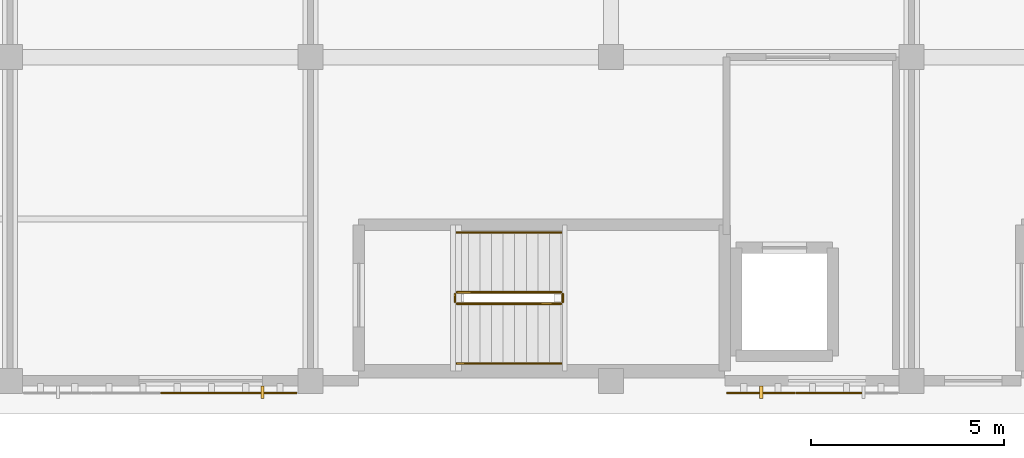
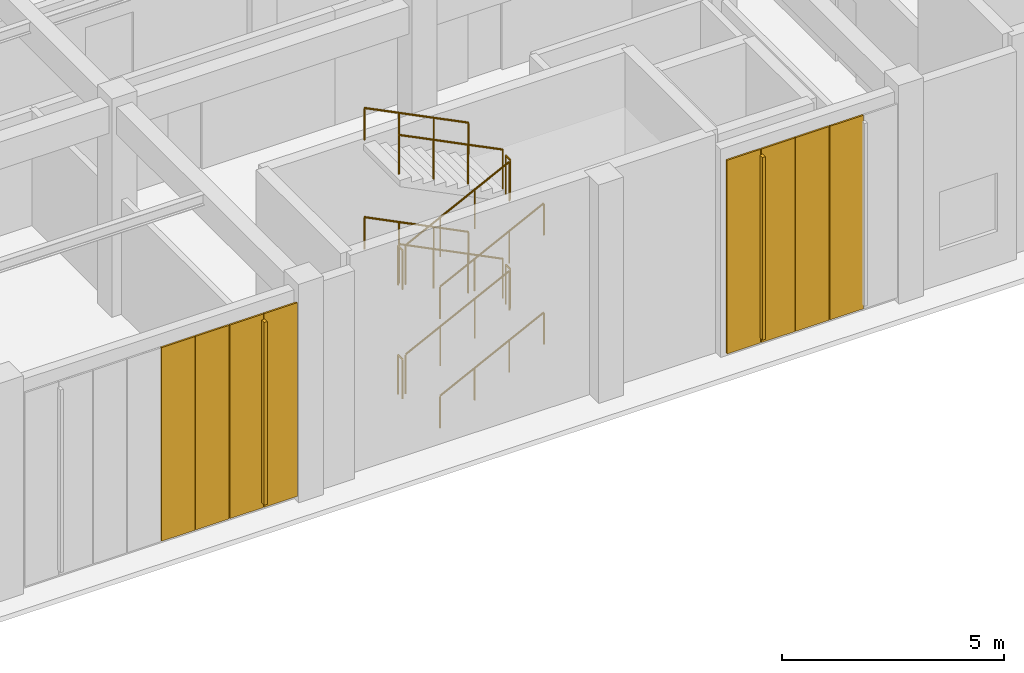
# One storey, part 89 of 105: 12 railings, 8 coverings, 2 shading devices.
"""IFC4 building model written with IfcOpenShell, lengths in metres."""

from ifc_helpers import new_model, si_unit, direction, frame, origin, origin_2d, place, context, subcontext, project, spatial, rectangle, circle, extrude, material, layer, layer_set, type_object, element, save


model = new_model("IFC4")

# Units and contexts
model_context = context("Model", 3, precision=1e-05, world=origin(), true_north=direction((0.0, 1.0)))
body_context = subcontext(model_context, "Body", "Model", "MODEL_VIEW")
ifc_project = project(units=[si_unit("LENGTHUNIT", "METRE"), si_unit("AREAUNIT", "SQUARE_METRE"), si_unit("VOLUMEUNIT", "CUBIC_METRE"), si_unit("PLANEANGLEUNIT", "RADIAN"), si_unit("MASSUNIT", "GRAM", prefix="KILO")], contexts=[model_context])

# Site, building, storey
site_placement = place(None, origin())
site = spatial("IfcSite", under=ifc_project, at=site_placement, CompositionType="ELEMENT")
building_placement = place(site_placement, origin())
building = spatial("IfcBuilding", under=site, at=building_placement, Name="Tizgana Railside Sports Hall", CompositionType="ELEMENT")
storey_placement = place(building_placement, frame((0.0, 0.0, 6.0)))
storey = spatial("IfcBuildingStorey", under=building, at=storey_placement, Name="L01", CompositionType="ELEMENT", Elevation=6.0)

# Shading devices
ifc_material_1 = material(Name="Glulam GL28h", Category="wood")
shading_device_type = type_object("IfcShadingDeviceType", Name="Glulam Vertical Brise-Soleil Fin 320", PredefinedType="JALOUSIE", material=ifc_material_1)
for number, where, z_axis, x_axis, name in (
    (1, (37.75, -0.2939453125, 0.35009765625), (0.0, 0.0, 1.0), (-1.0, 0.0, 0.0), "L01 Glulam Fin FIN-0029"),
    (2, (50.699951171875, -0.2939453125, 0.35009765625), (0.0, 0.0, 1.0), (-1.0, 0.0, 0.0), "L01 Glulam Fin FIN-0032"),
):
    element("IfcShadingDevice", number, at=place(storey_placement, frame(where, z_axis=z_axis, x_axis=x_axis)), inside=storey, type_object=shading_device_type, Name=name, PredefinedType="JALOUSIE", context=body_context, shape_type="SweptSolid", body=[
        extrude(rectangle(XDim=0.080078125, YDim=0.320068359375, at=origin_2d()), origin(), (0.0, 0.0, 1.0), 5.02001953125),
    ])

# Coverings
ifc_material_2 = material(Name="Anodised perforated aluminium screen", Category="aluminium")
ifc_layer = layer(ifc_material_2, 0.044921875, Name="Anodised perforated aluminium screen")
ifc_layer_set = layer_set([ifc_layer], Name="Anodised perforated aluminium screen")
covering_type = type_object("IfcCoveringType", Name="Perforated Aluminium Hall Screen 900", PredefinedType="CLADDING", material=ifc_layer_set)
for number, where, z_axis, x_axis, name in (
    (3, (38.206298828125, -0.31494140625, 0.2001953125), (0.0, 0.0, 1.0), (-1.0, 0.0, 0.0), "L01 Perforated Screen SCR-0530"),
    (4, (37.31884765625, -0.31494140625, 0.2001953125), (0.0, 0.0, 1.0), (-1.0, 0.0, 0.0), "L01 Perforated Screen SCR-0531"),
    (5, (36.43115234375, -0.31494140625, 0.2001953125), (0.0, 0.0, 1.0), (-1.0, 0.0, 0.0), "L01 Perforated Screen SCR-0532"),
    (6, (35.543701171875, -0.31494140625, 0.2001953125), (0.0, 0.0, 1.0), (-1.0, 0.0, 0.0), "L01 Perforated Screen SCR-0533"),
):
    element("IfcCovering", number, at=place(storey_placement, frame(where, z_axis=z_axis, x_axis=x_axis)), inside=storey, type_object=covering_type, Name=name, PredefinedType="CLADDING", context=body_context, shape_type="SweptSolid", body=[
        extrude(rectangle(XDim=0.869384765625, YDim=0.044921875, at=origin_2d()), origin(), (0.0, 0.0, 1.0), 5.320068359375),
    ])
for number, where, z_axis, x_axis, name in (
    (7, (52.9150390625, -0.31494140625, 0.2001953125), (0.0, 0.0, 1.0), (-1.0, 0.0, 0.0), "L01 Perforated Screen SCR-0539"),
    (8, (52.02490234375, -0.31494140625, 0.2001953125), (0.0, 0.0, 1.0), (-1.0, 0.0, 0.0), "L01 Perforated Screen SCR-0540"),
    (9, (51.135009765625, -0.31494140625, 0.2001953125), (0.0, 0.0, 1.0), (-1.0, 0.0, 0.0), "L01 Perforated Screen SCR-0541"),
    (10, (50.2451171875, -0.31494140625, 0.2001953125), (0.0, 0.0, 1.0), (-1.0, 0.0, 0.0), "L01 Perforated Screen SCR-0542"),
):
    element("IfcCovering", number, at=place(storey_placement, frame(where, z_axis=z_axis, x_axis=x_axis)), inside=storey, type_object=covering_type, Name=name, PredefinedType="CLADDING", context=body_context, shape_type="SweptSolid", body=[
        extrude(rectangle(XDim=0.8720703125, YDim=0.044921875, at=origin_2d()), origin(), (0.0, 0.0, 1.0), 5.320068359375),
    ])

# Railings
ifc_material_3 = material(Name="Galvanised steel sheet", Category="steel")
railing_type_1 = type_object("IfcRailingType", Name="Safety Balustrade Guard 1100", PredefinedType="BALUSTRADE", material=ifc_material_3)
railing_1_placement = place(storey_placement, frame((42.800048828125, 2.0, 0.14990234375)))
element("IfcRailing", 11, at=railing_1_placement, inside=storey, type_object=railing_type_1, Name="L01 ST-02 stair guard 1", PredefinedType="BALUSTRADE", context=body_context, shape_type="SweptSolid", body=[
    extrude(circle(Radius=0.02392578125, at=origin_2d()), frame((0.0, 0.0, 1.076171875), z_axis=(0.894411015155, 0.0, 0.447245945728), x_axis=(0.0, 1.0, 0.0)), (0.0, 0.0, 1.0), 3.018798828125),
    extrude(circle(Radius=0.02099609375, at=origin_2d()), origin(), (0.0, 0.0, 1.0), 1.052001953125),
    extrude(circle(Radius=0.02099609375, at=origin_2d()), frame((0.89990234375, 0.0, 0.449951171875)), (0.0, 0.0, 1.0), 1.052001953125),
    extrude(circle(Radius=0.02099609375, at=origin_2d()), frame((1.800048828125, 0.0, 0.900146484375)), (0.0, 0.0, 1.0), 1.052001953125),
    extrude(circle(Radius=0.02099609375, at=origin_2d()), frame((2.699951171875, 0.0, 1.35009765625)), (0.0, 0.0, 1.0), 1.052001953125),
])
railing_2_placement = place(storey_placement, frame((45.550048828125, 2.050048828125, 1.5)))
element("IfcRailing", 12, at=railing_2_placement, inside=storey, type_object=railing_type_1, Name="L01 ST-02 stair guard 2", PredefinedType="BALUSTRADE", context=body_context, shape_type="SweptSolid", body=[
    extrude(circle(Radius=0.02392578125, at=origin_2d()), frame((0.0, 0.0, 1.076171875), z_axis=(0.0, 1.0, 0.0), x_axis=(-1.0, 0.0, 0.0)), (0.0, 0.0, 1.0), 0.199951171875),
    extrude(circle(Radius=0.02099609375, at=origin_2d()), origin(), (0.0, 0.0, 1.0), 1.052001953125),
    extrude(circle(Radius=0.02099609375, at=origin_2d()), frame((0.0, 0.199951171875, 0.0)), (0.0, 0.0, 1.0), 1.052001953125),
])
railing_3_placement = place(storey_placement, frame((45.5, 2.300048828125, 1.64990234375)))
element("IfcRailing", 13, at=railing_3_placement, inside=storey, type_object=railing_type_1, Name="L01 ST-02 stair guard 3", PredefinedType="BALUSTRADE", context=body_context, shape_type="SweptSolid", body=[
    extrude(circle(Radius=0.02392578125, at=origin_2d()), frame((0.0, 0.0, 1.076171875), z_axis=(-0.894411015155, 0.0, 0.447245945728), x_axis=(0.0, -1.0, 0.0)), (0.0, 0.0, 1.0), 3.018798828125),
    extrude(circle(Radius=0.02099609375, at=origin_2d()), origin(), (0.0, 0.0, 1.0), 1.052001953125),
    extrude(circle(Radius=0.02099609375, at=origin_2d()), frame((-0.89990234375, 0.0, 0.449951171875)), (0.0, 0.0, 1.0), 1.052001953125),
    extrude(circle(Radius=0.02099609375, at=origin_2d()), frame((-1.800048828125, 0.0, 0.900146484375)), (0.0, 0.0, 1.0), 1.052001953125),
    extrude(circle(Radius=0.02099609375, at=origin_2d()), frame((-2.699951171875, 0.0, 1.35009765625)), (0.0, 0.0, 1.0), 1.052001953125),
])
railing_4_placement = place(storey_placement, frame((42.75, 2.050048828125, 3.0)))
element("IfcRailing", 14, at=railing_4_placement, inside=storey, type_object=railing_type_1, Name="L01 ST-02 stair guard 4", PredefinedType="BALUSTRADE", context=body_context, shape_type="SweptSolid", body=[
    extrude(circle(Radius=0.02392578125, at=origin_2d()), frame((0.0, 0.0, 1.076171875), z_axis=(0.0, 1.0, 0.0), x_axis=(-1.0, 0.0, 0.0)), (0.0, 0.0, 1.0), 0.199951171875),
    extrude(circle(Radius=0.02099609375, at=origin_2d()), origin(), (0.0, 0.0, 1.0), 1.052001953125),
    extrude(circle(Radius=0.02099609375, at=origin_2d()), frame((0.0, 0.199951171875, 0.0)), (0.0, 0.0, 1.0), 1.052001953125),
])
railing_5_placement = place(storey_placement, frame((42.800048828125, 2.0, 3.14990234375)))
element("IfcRailing", 15, at=railing_5_placement, inside=storey, type_object=railing_type_1, Name="L01 ST-02 stair guard 5", PredefinedType="BALUSTRADE", context=body_context, shape_type="SweptSolid", body=[
    extrude(circle(Radius=0.02392578125, at=origin_2d()), frame((0.0, 0.0, 1.076171875), z_axis=(0.894411015155, 0.0, 0.447245945728), x_axis=(0.0, 1.0, 0.0)), (0.0, 0.0, 1.0), 3.018798828125),
    extrude(circle(Radius=0.02099609375, at=origin_2d()), origin(), (0.0, 0.0, 1.0), 1.052001953125),
    extrude(circle(Radius=0.02099609375, at=origin_2d()), frame((0.89990234375, 0.0, 0.449951171875)), (0.0, 0.0, 1.0), 1.052001953125),
    extrude(circle(Radius=0.02099609375, at=origin_2d()), frame((1.800048828125, 0.0, 0.900146484375)), (0.0, 0.0, 1.0), 1.052001953125),
    extrude(circle(Radius=0.02099609375, at=origin_2d()), frame((2.699951171875, 0.0, 1.35009765625)), (0.0, 0.0, 1.0), 1.052001953125),
])
railing_6_placement = place(storey_placement, frame((45.550048828125, 2.050048828125, 4.5)))
element("IfcRailing", 16, at=railing_6_placement, inside=storey, type_object=railing_type_1, Name="L01 ST-02 stair guard 6", PredefinedType="BALUSTRADE", context=body_context, shape_type="SweptSolid", body=[
    extrude(circle(Radius=0.02392578125, at=origin_2d()), frame((0.0, 0.0, 1.076171875), z_axis=(0.0, 1.0, 0.0), x_axis=(-1.0, 0.0, 0.0)), (0.0, 0.0, 1.0), 0.199951171875),
    extrude(circle(Radius=0.02099609375, at=origin_2d()), origin(), (0.0, 0.0, 1.0), 1.052001953125),
    extrude(circle(Radius=0.02099609375, at=origin_2d()), frame((0.0, 0.199951171875, 0.0)), (0.0, 0.0, 1.0), 1.052001953125),
])
railing_7_placement = place(storey_placement, frame((45.5, 2.300048828125, 4.64990234375)))
element("IfcRailing", 17, at=railing_7_placement, inside=storey, type_object=railing_type_1, Name="L01 ST-02 stair guard 7", PredefinedType="BALUSTRADE", context=body_context, shape_type="SweptSolid", body=[
    extrude(circle(Radius=0.02392578125, at=origin_2d()), frame((0.0, 0.0, 1.076171875), z_axis=(-0.894411015155, 0.0, 0.447245945728), x_axis=(0.0, -1.0, 0.0)), (0.0, 0.0, 1.0), 3.018798828125),
    extrude(circle(Radius=0.02099609375, at=origin_2d()), origin(), (0.0, 0.0, 1.0), 1.052001953125),
    extrude(circle(Radius=0.02099609375, at=origin_2d()), frame((-0.89990234375, 0.0, 0.449951171875)), (0.0, 0.0, 1.0), 1.052001953125),
    extrude(circle(Radius=0.02099609375, at=origin_2d()), frame((-1.800048828125, 0.0, 0.900146484375)), (0.0, 0.0, 1.0), 1.052001953125),
    extrude(circle(Radius=0.02099609375, at=origin_2d()), frame((-2.699951171875, 0.0, 1.35009765625)), (0.0, 0.0, 1.0), 1.052001953125),
])
railing_8_placement = place(storey_placement, frame((42.75, 2.050048828125, 0.0)))
element("IfcRailing", 18, at=railing_8_placement, inside=storey, type_object=railing_type_1, Name="L01 ST-02 stair guard 8", PredefinedType="BALUSTRADE", context=body_context, shape_type="SweptSolid", body=[
    extrude(circle(Radius=0.02392578125, at=origin_2d()), frame((0.0, 0.0, 1.076171875), z_axis=(0.0, 1.0, 0.0), x_axis=(-1.0, 0.0, 0.0)), (0.0, 0.0, 1.0), 0.199951171875),
    extrude(circle(Radius=0.02099609375, at=origin_2d()), origin(), (0.0, 0.0, 1.0), 1.052001953125),
    extrude(circle(Radius=0.02099609375, at=origin_2d()), frame((0.0, 0.199951171875, 0.0)), (0.0, 0.0, 1.0), 1.052001953125),
])
ifc_material_4 = material(Name="Brushed stainless steel", Category="steel")
railing_type_2 = type_object("IfcRailingType", Name="Stair & Ramp Wall Handrail 900", PredefinedType="HANDRAIL", material=ifc_material_4)
railing_9_placement = place(storey_placement, frame((42.800048828125, 0.449951171875, 0.14990234375)))
element("IfcRailing", 19, at=railing_9_placement, inside=storey, type_object=railing_type_2, Name="L01 ST-02 stair handrail 1", PredefinedType="HANDRAIL", context=body_context, shape_type="SweptSolid", body=[
    extrude(circle(Radius=0.02392578125, at=origin_2d()), frame((0.0, 0.0, 0.8759765625), z_axis=(0.894411015155, 0.0, 0.447245945728), x_axis=(0.0, 1.0, 0.0)), (0.0, 0.0, 1.0), 3.018798828125),
    extrude(circle(Radius=0.02099609375, at=origin_2d()), origin(), (0.0, 0.0, 1.0), 0.851806640625),
    extrude(circle(Radius=0.02099609375, at=origin_2d()), frame((0.89990234375, 0.0, 0.449951171875)), (0.0, 0.0, 1.0), 0.851806640625),
    extrude(circle(Radius=0.02099609375, at=origin_2d()), frame((1.800048828125, 0.0, 0.900146484375)), (0.0, 0.0, 1.0), 0.851806640625),
    extrude(circle(Radius=0.02099609375, at=origin_2d()), frame((2.699951171875, 0.0, 1.35009765625)), (0.0, 0.0, 1.0), 0.851806640625),
])
railing_10_placement = place(storey_placement, frame((45.5, 3.85009765625, 1.64990234375)))
element("IfcRailing", 20, at=railing_10_placement, inside=storey, type_object=railing_type_2, Name="L01 ST-02 stair handrail 2", PredefinedType="HANDRAIL", context=body_context, shape_type="SweptSolid", body=[
    extrude(circle(Radius=0.02392578125, at=origin_2d()), frame((0.0, 0.0, 0.8759765625), z_axis=(-0.894411015155, 0.0, 0.447245945728), x_axis=(0.0, -1.0, 0.0)), (0.0, 0.0, 1.0), 3.018798828125),
    extrude(circle(Radius=0.02099609375, at=origin_2d()), origin(), (0.0, 0.0, 1.0), 0.851806640625),
    extrude(circle(Radius=0.02099609375, at=origin_2d()), frame((-0.89990234375, 0.0, 0.449951171875)), (0.0, 0.0, 1.0), 0.851806640625),
    extrude(circle(Radius=0.02099609375, at=origin_2d()), frame((-1.800048828125, 0.0, 0.900146484375)), (0.0, 0.0, 1.0), 0.851806640625),
    extrude(circle(Radius=0.02099609375, at=origin_2d()), frame((-2.699951171875, 0.0, 1.35009765625)), (0.0, 0.0, 1.0), 0.851806640625),
])
railing_11_placement = place(storey_placement, frame((42.800048828125, 0.449951171875, 3.14990234375)))
element("IfcRailing", 21, at=railing_11_placement, inside=storey, type_object=railing_type_2, Name="L01 ST-02 stair handrail 3", PredefinedType="HANDRAIL", context=body_context, shape_type="SweptSolid", body=[
    extrude(circle(Radius=0.02392578125, at=origin_2d()), frame((0.0, 0.0, 0.8759765625), z_axis=(0.894411015155, 0.0, 0.447245945728), x_axis=(0.0, 1.0, 0.0)), (0.0, 0.0, 1.0), 3.018798828125),
    extrude(circle(Radius=0.02099609375, at=origin_2d()), origin(), (0.0, 0.0, 1.0), 0.851806640625),
    extrude(circle(Radius=0.02099609375, at=origin_2d()), frame((0.89990234375, 0.0, 0.449951171875)), (0.0, 0.0, 1.0), 0.851806640625),
    extrude(circle(Radius=0.02099609375, at=origin_2d()), frame((1.800048828125, 0.0, 0.900146484375)), (0.0, 0.0, 1.0), 0.851806640625),
    extrude(circle(Radius=0.02099609375, at=origin_2d()), frame((2.699951171875, 0.0, 1.35009765625)), (0.0, 0.0, 1.0), 0.851806640625),
])
railing_12_placement = place(storey_placement, frame((45.5, 3.85009765625, 4.64990234375)))
element("IfcRailing", 22, at=railing_12_placement, inside=storey, type_object=railing_type_2, Name="L01 ST-02 stair handrail 4", PredefinedType="HANDRAIL", context=body_context, shape_type="SweptSolid", body=[
    extrude(circle(Radius=0.02392578125, at=origin_2d()), frame((0.0, 0.0, 0.8759765625), z_axis=(-0.894411015155, 0.0, 0.447245945728), x_axis=(0.0, -1.0, 0.0)), (0.0, 0.0, 1.0), 3.018798828125),
    extrude(circle(Radius=0.02099609375, at=origin_2d()), origin(), (0.0, 0.0, 1.0), 0.851806640625),
    extrude(circle(Radius=0.02099609375, at=origin_2d()), frame((-0.89990234375, 0.0, 0.449951171875)), (0.0, 0.0, 1.0), 0.851806640625),
    extrude(circle(Radius=0.02099609375, at=origin_2d()), frame((-1.800048828125, 0.0, 0.900146484375)), (0.0, 0.0, 1.0), 0.851806640625),
    extrude(circle(Radius=0.02099609375, at=origin_2d()), frame((-2.699951171875, 0.0, 1.35009765625)), (0.0, 0.0, 1.0), 0.851806640625),
])

save(model, "model.ifc")
